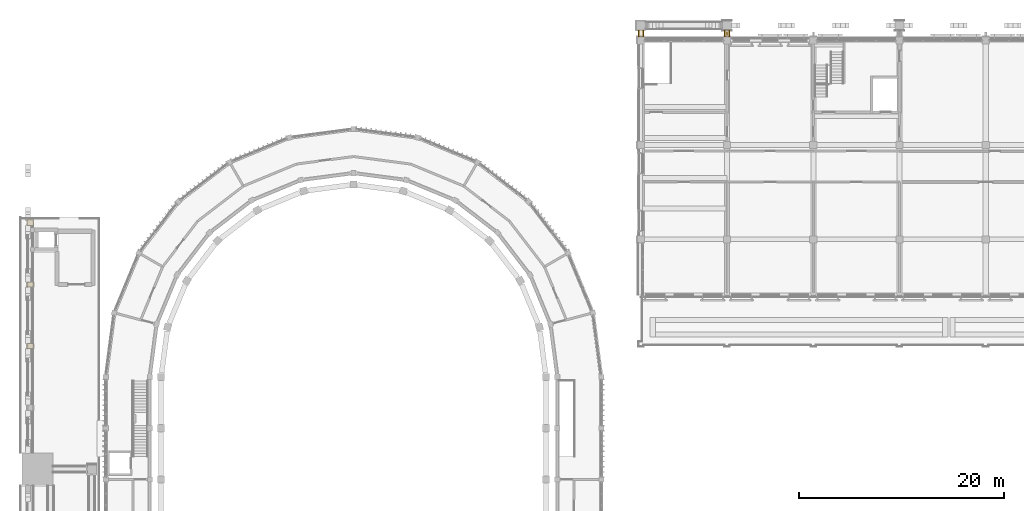
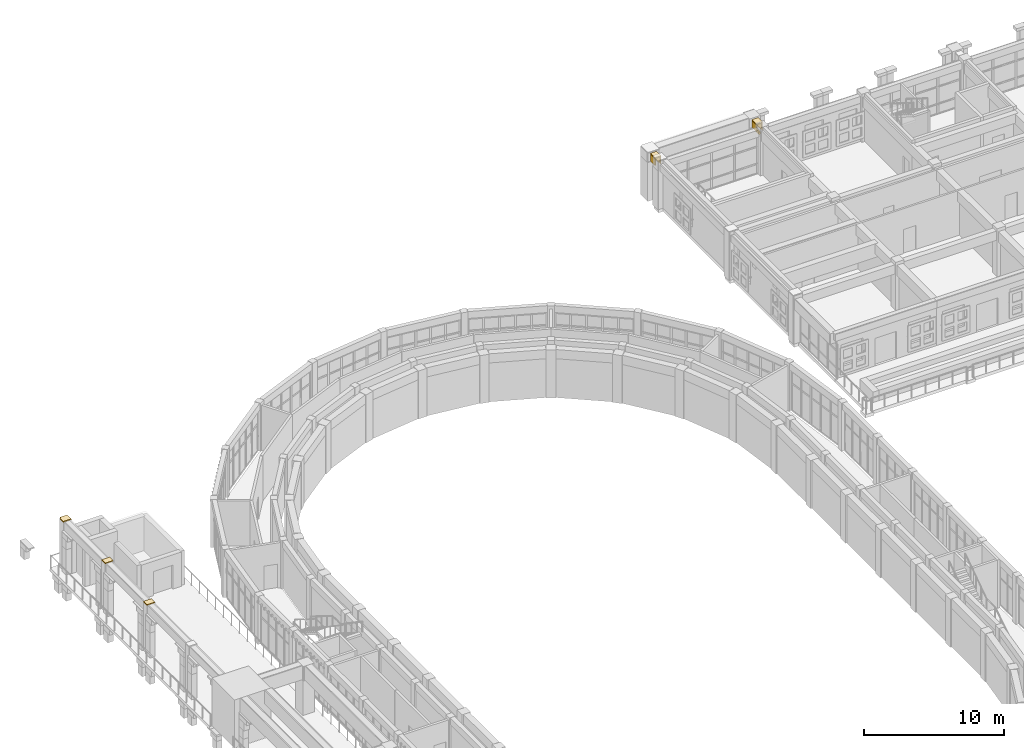
# One storey, part 98 of 99: 9 coverings, 1 shading device.
"""IFC4 building model written with IfcOpenShell, lengths in metres."""

from ifc_helpers import new_model, si_unit, direction, frame, origin, origin_2d, place, context, subcontext, project, spatial, polyline, rectangle, outline, extrude, material, layer, layer_set, type_object, element, save


model = new_model("IFC4")

# Units and contexts
model_context = context("Model", 3, precision=1e-05, world=origin(), true_north=direction((0.0, 1.0)))
body_context = subcontext(model_context, "Body", "Model", "MODEL_VIEW")
ifc_project = project(units=[si_unit("LENGTHUNIT", "METRE"), si_unit("AREAUNIT", "SQUARE_METRE"), si_unit("VOLUMEUNIT", "CUBIC_METRE"), si_unit("PLANEANGLEUNIT", "RADIAN"), si_unit("MASSUNIT", "GRAM", prefix="KILO")], contexts=[model_context])

# Site, building, storey
site_placement = place(None, origin())
site = spatial("IfcSite", under=ifc_project, at=site_placement, CompositionType="ELEMENT")
building_placement = place(site_placement, origin())
building = spatial("IfcBuilding", under=site, at=building_placement, Name="Wasatch Bagh Community Centre", CompositionType="ELEMENT")
storey_placement = place(building_placement, frame((0.0, 0.0, 4.199951171875)))
storey = spatial("IfcBuildingStorey", under=building, at=storey_placement, Name="L01", CompositionType="ELEMENT", Elevation=4.199951171875)

# Coverings
ifc_material_1 = material(Name="Cast stone cladding", Category="masonry")
ifc_layer_1 = layer(ifc_material_1, 0.080078125)
ifc_layer_set_1 = layer_set([ifc_layer_1], Name="Cast stone cladding")
covering_type_1 = type_object("IfcCoveringType", Name="CL-B7 beam facing", PredefinedType="CLADDING", material=ifc_layer_set_1)
covering_1_placement = place(storey_placement, frame((0.0, 0.0, 3.400146484375)))
element("IfcCovering", 1, at=covering_1_placement, inside=storey, type_object=covering_type_1, Name="Beam facing", PredefinedType="CLADDING", context=body_context, shape_type="SweptSolid", body=[
    extrude(outline(polyline([(63.824951171875, 98.14990234375), (63.824951171875, 98.800048828125), (63.7451171875, 98.800048828125), (63.7451171875, 98.14990234375), (63.824951171875, 98.14990234375)])), origin(), (0.0, 0.0, 1.0), 0.599853515625),
])
covering_2_placement = place(storey_placement, frame((0.0, 0.0, 3.400146484375)))
element("IfcCovering", 2, at=covering_2_placement, inside=storey, type_object=covering_type_1, Name="Beam facing", PredefinedType="CLADDING", context=body_context, shape_type="SweptSolid", body=[
    extrude(outline(polyline([(64.175048828125, 98.14990234375), (64.175048828125, 98.800048828125), (64.2548828125, 98.800048828125), (64.2548828125, 98.14990234375), (64.175048828125, 98.14990234375)])), origin(), (0.0, 0.0, 1.0), 0.599853515625),
])
covering_3_placement = place(storey_placement, frame((0.0, 0.0, 4.0)))
element("IfcCovering", 3, at=covering_3_placement, inside=storey, type_object=covering_type_1, Name="Beam facing", PredefinedType="CLADDING", context=body_context, shape_type="SweptSolid", body=[
    extrude(outline(polyline([(64.2548828125, 98.14990234375), (64.2548828125, 98.800048828125), (63.7451171875, 98.800048828125), (63.7451171875, 98.14990234375), (64.2548828125, 98.14990234375)])), origin(), (0.0, 0.0, 1.0), 0.080078125),
])
covering_4_placement = place(storey_placement, frame((0.0, 0.0, 3.400146484375)))
element("IfcCovering", 4, at=covering_4_placement, inside=storey, type_object=covering_type_1, Name="Beam facing", PredefinedType="CLADDING", context=body_context, shape_type="SweptSolid", body=[
    extrude(outline(polyline([(72.22509765625, 98.14990234375), (72.22509765625, 98.800048828125), (72.14501953125, 98.800048828125), (72.14501953125, 98.14990234375), (72.22509765625, 98.14990234375)])), origin(), (0.0, 0.0, 1.0), 0.599853515625),
])
covering_5_placement = place(storey_placement, frame((0.0, 0.0, 3.400146484375)))
element("IfcCovering", 5, at=covering_5_placement, inside=storey, type_object=covering_type_1, Name="Beam facing", PredefinedType="CLADDING", context=body_context, shape_type="SweptSolid", body=[
    extrude(outline(polyline([(72.574951171875, 98.14990234375), (72.574951171875, 98.800048828125), (72.655029296875, 98.800048828125), (72.655029296875, 98.14990234375), (72.574951171875, 98.14990234375)])), origin(), (0.0, 0.0, 1.0), 0.599853515625),
])
covering_6_placement = place(storey_placement, frame((0.0, 0.0, 4.0)))
element("IfcCovering", 6, at=covering_6_placement, inside=storey, type_object=covering_type_1, Name="Beam facing", PredefinedType="CLADDING", context=body_context, shape_type="SweptSolid", body=[
    extrude(outline(polyline([(72.655029296875, 98.14990234375), (72.655029296875, 98.800048828125), (72.14501953125, 98.800048828125), (72.14501953125, 98.14990234375), (72.655029296875, 98.14990234375)])), origin(), (0.0, 0.0, 1.0), 0.080078125),
])
ifc_layer_2 = layer(ifc_material_1, 0.080078125)
ifc_layer_set_2 = layer_set([ifc_layer_2], Name="Cast stone cladding")
covering_type_2 = type_object("IfcCoveringType", Name="CL-C1 column facing", PredefinedType="CLADDING", material=ifc_layer_set_2)
covering_7_placement = place(storey_placement, frame((0.0, 0.0, 4.199951171875)))
element("IfcCovering", 7, at=covering_7_placement, inside=storey, type_object=covering_type_2, Name="Column facing", PredefinedType="CLADDING", context=body_context, shape_type="SweptSolid", body=[
    extrude(outline(polyline([(4.169921875, 67.75), (4.169921875, 68.25), (4.830078125, 68.25), (4.830078125, 67.75), (4.169921875, 67.75)])), origin(), (0.0, 0.0, 1.0), 0.080078125),
])
covering_8_placement = place(storey_placement, frame((0.0, 0.0, 4.199951171875)))
element("IfcCovering", 8, at=covering_8_placement, inside=storey, type_object=covering_type_2, Name="Column facing", PredefinedType="CLADDING", context=body_context, shape_type="SweptSolid", body=[
    extrude(outline(polyline([(4.169921875, 73.75), (4.169921875, 74.25), (4.830078125, 74.25), (4.830078125, 73.75), (4.169921875, 73.75)])), origin(), (0.0, 0.0, 1.0), 0.080078125),
])
covering_9_placement = place(storey_placement, frame((0.0, 0.0, 4.199951171875)))
element("IfcCovering", 9, at=covering_9_placement, inside=storey, type_object=covering_type_2, Name="Column facing", PredefinedType="CLADDING", context=body_context, shape_type="SweptSolid", body=[
    extrude(outline(polyline([(4.169921875, 80.25), (4.25, 80.25), (4.25, 80.330078125), (4.75, 80.330078125), (4.75, 80.25), (4.830078125, 80.25), (4.830078125, 79.75), (4.169921875, 79.75), (4.169921875, 80.25)])), origin(), (0.0, 0.0, 1.0), 0.080078125),
])

# Shading device
ifc_material_2 = material(Name="Powder-coated aluminium", Category="aluminium")
shading_device_type = type_object("IfcShadingDeviceType", Name="LW north fin 150x450", PredefinedType="USERDEFINED", material=ifc_material_2)
shading_device_placement = place(storey_placement, frame((72.39990234375, 98.375, 3.10009765625), z_axis=(0.0, 0.0, 1.0), x_axis=(1.0, 0.0, 0.0)))
element("IfcShadingDevice", 10, at=shading_device_placement, inside=storey, type_object=shading_device_type, Name="Facade fin", ObjectType="Facade fin", PredefinedType="USERDEFINED", context=body_context, shape_type="SweptSolid", body=[
    extrude(rectangle(XDim=0.14990234375, YDim=0.449951171875, at=origin_2d()), origin(), (0.0, 0.0, 1.0), 0.219970703125),
])

save(model, "model.ifc")
